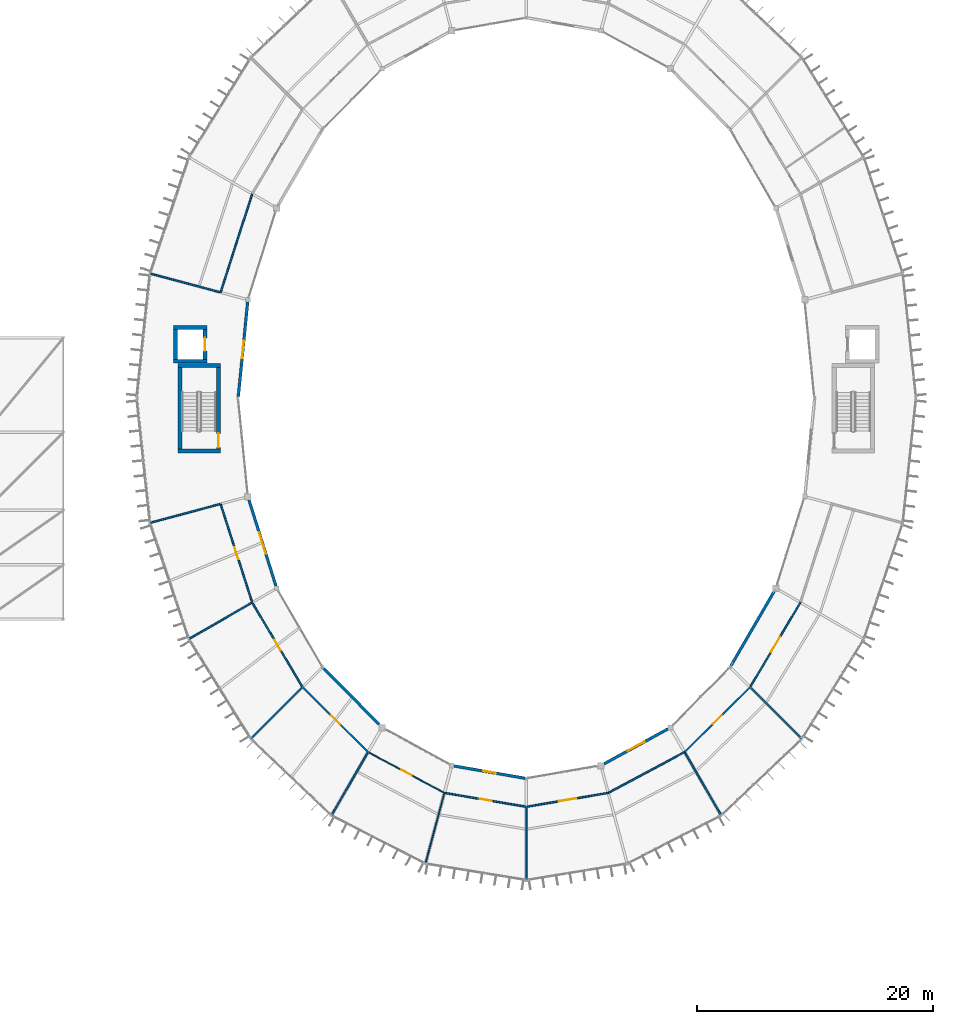
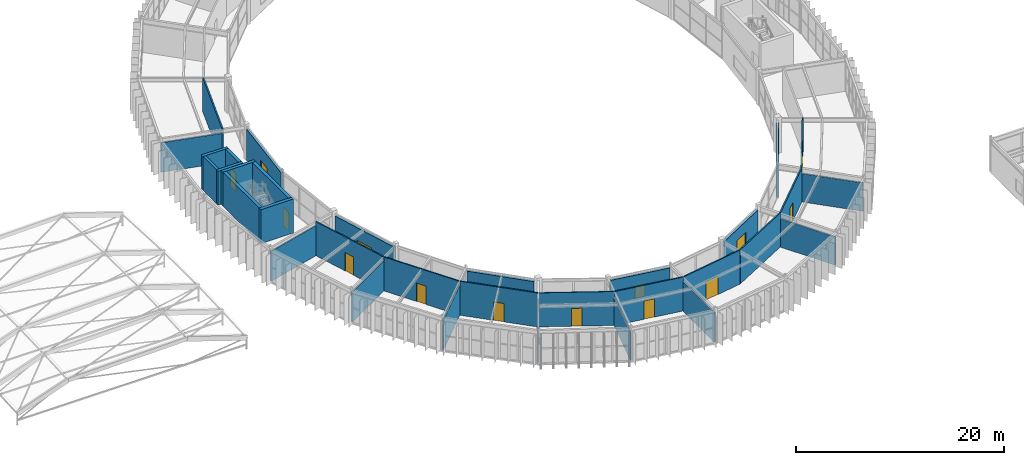
# One storey, part 116 of 134: 33 walls, 10 doors, 4 windows, 14 openings.
"""IFC4 building model written with IfcOpenShell, lengths in metres."""

from ifc_helpers import new_model, si_unit, direction, frame, frame_2d, origin, place, context, subcontext, project, spatial, rectangle, extrude, material, layer, layer_set, type_object, element, fill, save


model = new_model("IFC4")

# Units and contexts
model_context = context("Model", 3, precision=1e-05, world=origin(), true_north=direction((0.0, 1.0)))
body_context = subcontext(model_context, "Body", "Model", "MODEL_VIEW")
ifc_project = project(units=[si_unit("LENGTHUNIT", "METRE"), si_unit("AREAUNIT", "SQUARE_METRE"), si_unit("VOLUMEUNIT", "CUBIC_METRE"), si_unit("PLANEANGLEUNIT", "RADIAN"), si_unit("MASSUNIT", "GRAM", prefix="KILO")], contexts=[model_context])

# Site, building, storey
site_placement = place(None, origin())
site = spatial("IfcSite", under=ifc_project, at=site_placement, CompositionType="ELEMENT")
building_placement = place(site_placement, origin())
building = spatial("IfcBuilding", under=site, at=building_placement, Name="Karori Crest Natural Sciences Institute", CompositionType="ELEMENT")
storey_placement = place(building_placement, frame((0.0, 0.0, 21.699951171875)))
storey = spatial("IfcBuildingStorey", under=building, at=storey_placement, Name="L05", CompositionType="ELEMENT", Elevation=21.699951171875)

# Walls
ifc_material_1 = material(Name="Concrete 50 MPa", Category="concrete")
ifc_layer_1 = layer(ifc_material_1, 0.35009765625, Name="Concrete 50 MPa")
ifc_layer_set_1 = layer_set([ifc_layer_1], Name="Concrete 50 MPa")
wall_type_1 = type_object("IfcWallType", Name="IWT-02", PredefinedType="SHEAR", material=ifc_layer_set_1)
for number, where, z_axis, x_axis, name in (
    (1, (36.89990234375, 45.425048828125, 0.0), (0.0, 0.0, 1.0), (1.0, 0.0, 0.0), "Shear wall IW-0061"),
    (2, (36.89990234375, 52.675048828125, 0.0), (0.0, 0.0, 1.0), (1.0, 0.0, 0.0), "Shear wall IW-0062"),
):
    element("IfcWall", number, at=place(storey_placement, frame(where, z_axis=z_axis, x_axis=x_axis)), inside=storey, type_object=wall_type_1, Name=name, PredefinedType="SHEAR", context=body_context, shape_type="SweptSolid", body=[
        extrude(rectangle(XDim=3.60009765625, YDim=0.35009765625, at=frame_2d((1.800048828125, 0.0))), origin(), (0.0, 0.0, 1.0), 3.97998046875),
    ])
wall_1_placement = place(storey_placement, frame((37.074951171875, 45.60205078125, 0.0), z_axis=(0.0, 0.0, 1.0), x_axis=(0.0, 1.0, 0.0)))
element("IfcWall", 3, at=wall_1_placement, inside=storey, type_object=wall_type_1, Name="Shear wall IW-0063", PredefinedType="SHEAR", context=body_context, shape_type="SweptSolid", body=[
    extrude(rectangle(XDim=6.89599609375, YDim=0.35009765625, at=frame_2d((3.447998046875, 0.0))), origin(), (0.0, 0.0, 1.0), 3.97998046875),
])

# Wall, opening, door
wall_2_placement = place(storey_placement, frame((40.324951171875, 45.60205078125, 0.0), z_axis=(0.0, 0.0, 1.0), x_axis=(0.0, 1.0, 0.0)))
wall_2 = element("IfcWall", 4, at=wall_2_placement, inside=storey, type_object=wall_type_1, Name="Shear wall IW-0064", PredefinedType="SHEAR", context=body_context, shape_type="SweptSolid", body=[
    extrude(rectangle(XDim=6.89599609375, YDim=0.35009765625, at=frame_2d((3.447998046875, 0.0))), origin(), (0.0, 0.0, 1.0), 3.97998046875),
])
opening_1_placement = place(wall_2_placement, frame((0.1201171875, 0.0, 0.0)))
opening_1 = element("IfcOpeningElement", 5, at=opening_1_placement, cuts=wall_2, Name="Opening ID-0016", PredefinedType="OPENING", context=body_context, shape_type="SweptSolid", body=[
    extrude(rectangle(XDim=1.199951171875, YDim=2.14990234375, at=frame_2d((0.60009765625, 1.074951171875))), frame((0.0, 0.18505859375, 0.0), z_axis=(0.0, -1.0, 0.0), x_axis=(1.0, 0.0, 0.0)), (0.0, 0.0, 1.0), 0.3701171875),
])
ifc_material_2 = material(Name="Stainless steel 316 and fire-rated timber", Category="steel")
door_type_1 = type_object("IfcDoorType", Name="IDT-01", OperationType="NOTDEFINED", PredefinedType="DOOR", material=ifc_material_2)
door_1_placement = place(opening_1_placement, origin())
door_1 = element("IfcDoor", 6, at=door_1_placement, inside=storey, type_object=door_type_1, Name="Stair ST-02 fire door ID-0016", OperationType="SINGLE_SWING_RIGHT", OverallHeight=2.14990234375, OverallWidth=1.199951171875, PredefinedType="DOOR", context=body_context, shape_type="SweptSolid", body=[
    extrude(rectangle(XDim=1.199951171875, YDim=2.14990234375, at=frame_2d((0.60009765625, 1.074951171875))), frame((0.0, 0.02490234375, 0.0), z_axis=(0.0, -1.0, 0.0), x_axis=(1.0, 0.0, 0.0)), (0.0, 0.0, 1.0), 0.050048828125),
])
fill(opening_1, door_1)

# Walls
ifc_layer_2 = layer(ifc_material_1, 0.320068359375, Name="Concrete 50 MPa")
ifc_layer_set_2 = layer_set([ifc_layer_2], Name="Concrete 50 MPa")
wall_type_2 = type_object("IfcWallType", Name="IWT-03", PredefinedType="SHEAR", material=ifc_layer_set_2)
for number, where, z_axis, x_axis, name in (
    (7, (36.544921875, 53.030029296875, 0.0), (0.0, 0.0, 1.0), (1.0, 0.0, 0.0), "Shear wall IW-0461"),
    (8, (36.544921875, 55.89501953125, 0.0), (0.0, 0.0, 1.0), (1.0, 0.0, 0.0), "Shear wall IW-0462"),
):
    element("IfcWall", number, at=place(storey_placement, frame(where, z_axis=z_axis, x_axis=x_axis)), inside=storey, type_object=wall_type_2, Name=name, PredefinedType="SHEAR", context=body_context, shape_type="SweptSolid", body=[
        extrude(rectangle(XDim=2.81005859375, YDim=0.320068359375, at=frame_2d((1.405029296875, 0.0))), origin(), (0.0, 0.0, 1.0), 3.97998046875),
    ])
wall_3_placement = place(storey_placement, frame((36.705078125, 53.19189453125, 0.0), z_axis=(0.0, 0.0, 1.0), x_axis=(0.0, 1.0, 0.0)))
element("IfcWall", 9, at=wall_3_placement, inside=storey, type_object=wall_type_2, Name="Shear wall IW-0463", PredefinedType="SHEAR", context=body_context, shape_type="SweptSolid", body=[
    extrude(rectangle(XDim=2.541015625, YDim=0.320068359375, at=frame_2d((1.2705078125, 0.0))), origin(), (0.0, 0.0, 1.0), 3.97998046875),
])

# Wall, opening, door
wall_4_placement = place(storey_placement, frame((39.195068359375, 53.19189453125, 0.0), z_axis=(0.0, 0.0, 1.0), x_axis=(0.0, 1.0, 0.0)))
wall_4 = element("IfcWall", 10, at=wall_4_placement, inside=storey, type_object=wall_type_2, Name="Shear wall IW-0464", PredefinedType="SHEAR", context=body_context, shape_type="SweptSolid", body=[
    extrude(rectangle(XDim=2.541015625, YDim=0.320068359375, at=frame_2d((1.2705078125, 0.0))), origin(), (0.0, 0.0, 1.0), 3.97998046875),
])
opening_2_placement = place(wall_4_placement, frame((0.720458984375, 0.0, 0.0)))
opening_2 = element("IfcOpeningElement", 11, at=opening_2_placement, cuts=wall_4, Name="Opening LD-0040", PredefinedType="OPENING", context=body_context, shape_type="SweptSolid", body=[
    extrude(rectangle(XDim=1.10009765625, YDim=2.14990234375, at=frame_2d((0.550048828125, 1.074951171875))), frame((0.0, 0.169921875, 0.0), z_axis=(0.0, -1.0, 0.0), x_axis=(1.0, 0.0, 0.0)), (0.0, 0.0, 1.0), 0.340087890625),
])
door_type_2 = type_object("IfcDoorType", Name="LDT-01", OperationType="SLIDING_TO_LEFT", PredefinedType="DOOR", material=ifc_material_2)
door_2_placement = place(opening_2_placement, origin())
door_2 = element("IfcDoor", 12, at=door_2_placement, inside=storey, type_object=door_type_2, Name="Lift LP-02 landing door LD-0040", OperationType="SLIDING_TO_LEFT", OverallHeight=2.14990234375, OverallWidth=1.10009765625, PredefinedType="DOOR", context=body_context, shape_type="SweptSolid", body=[
    extrude(rectangle(XDim=1.10009765625, YDim=2.14990234375, at=frame_2d((0.550048828125, 1.074951171875))), frame((0.0, 0.02490234375, 0.0), z_axis=(0.0, -1.0, 0.0), x_axis=(1.0, 0.0, 0.0)), (0.0, 0.0, 1.0), 0.050048828125),
])
fill(opening_2, door_2)

# Walls
ifc_material_3 = material(Name="Laboratory acoustic drywall partition")
ifc_layer_3 = layer(ifc_material_3, 0.139892578125, Name="Laboratory acoustic drywall partition")
ifc_layer_set_3 = layer_set([ifc_layer_3], Name="Laboratory acoustic drywall partition")
wall_type_3 = type_object("IfcWallType", Name="IWT-07", PredefinedType="PARTITIONING", material=ifc_layer_set_3)
wall_5_placement = place(storey_placement, frame((43.18994140625, 67.197998046875, 0.0), z_axis=(0.0, 0.0, 1.0), x_axis=(-0.305499533667, -0.952192225829, 0.0)))
element("IfcWall", 13, at=wall_5_placement, inside=storey, type_object=wall_type_3, Name="Partition wall IW-1385", PredefinedType="PARTITIONING", context=body_context, shape_type="SweptSolid", body=[
    extrude(rectangle(XDim=8.761962890625, YDim=0.139892578125, at=frame_2d((4.380859375, 0.0))), origin(), (0.0, 0.0, 1.0), 3.97998046875),
])
wall_6_placement = place(storey_placement, frame((40.435791015625, 58.875732421875, 0.0), z_axis=(0.0, 0.0, 1.0), x_axis=(-0.965916578341, 0.258853556448, 0.0)))
element("IfcWall", 14, at=wall_6_placement, inside=storey, type_object=wall_type_3, Name="Partition wall IW-1386", PredefinedType="PARTITIONING", context=body_context, shape_type="SweptSolid", body=[
    extrude(rectangle(XDim=6.059814453125, YDim=0.139892578125, at=frame_2d((3.02978515625, 0.0))), origin(), (0.0, 0.0, 1.0), 3.465087890625),
])

# Wall, opening, door
wall_7_placement = place(storey_placement, frame((40.51318359375, 40.94482421875, 0.0), z_axis=(0.0, 0.0, 1.0), x_axis=(0.305493323507, -0.952194218263, 0.0)))
wall_7 = element("IfcWall", 15, at=wall_7_placement, inside=storey, type_object=wall_type_3, Name="Partition wall IW-1387", PredefinedType="PARTITIONING", context=body_context, shape_type="SweptSolid", body=[
    extrude(rectangle(XDim=8.763671875, YDim=0.139892578125, at=frame_2d((4.3818359375, 0.0))), origin(), (0.0, 0.0, 1.0), 3.97998046875),
])
opening_3_placement = place(wall_7_placement, frame((3.85693359375, 0.0, 0.0)))
opening_3 = element("IfcOpeningElement", 16, at=opening_3_placement, cuts=wall_7, Name="Opening ID-0440", PredefinedType="OPENING", context=body_context, shape_type="SweptSolid", body=[
    extrude(rectangle(XDim=1.050048828125, YDim=2.14990234375, at=frame_2d((0.52490234375, 1.074951171875))), frame((0.0, 0.080078125, 0.0), z_axis=(0.0, -1.0, 0.0), x_axis=(1.0, 0.0, 0.0)), (0.0, 0.0, 1.0), 0.159912109375),
])
door_type_3 = type_object("IfcDoorType", Name="IDT-03", OperationType="NOTDEFINED", PredefinedType="DOOR", material=ifc_material_2)
door_3_placement = place(opening_3_placement, origin())
door_3 = element("IfcDoor", 17, at=door_3_placement, inside=storey, type_object=door_type_3, Name="Paleoclimate Core Analysis Laboratory door ID-0440", OperationType="SINGLE_SWING_LEFT", OverallHeight=2.14990234375, OverallWidth=1.050048828125, PredefinedType="DOOR", context=body_context, shape_type="SweptSolid", body=[
    extrude(rectangle(XDim=1.050048828125, YDim=2.14990234375, at=frame_2d((0.52490234375, 1.074951171875))), frame((0.0, 0.02490234375, 0.0), z_axis=(0.0, -1.0, 0.0), x_axis=(1.0, 0.0, 0.0)), (0.0, 0.0, 1.0), 0.050048828125),
])
fill(opening_3, door_3)

# Walls
for number, where, z_axis, x_axis, name in (
    (18, (40.435791015625, 40.92431640625, 0.0), (0.0, 0.0, 1.0), (-0.965916578341, -0.258853556448, 0.0), "Partition wall IW-1388"),
    (19, (43.12109375, 32.56005859375, 0.0), (0.0, 0.0, 1.0), (-0.866010470582, -0.500025864173, 0.0), "Partition wall IW-1389"),
):
    element("IfcWall", number, at=place(storey_placement, frame(where, z_axis=z_axis, x_axis=x_axis)), inside=storey, type_object=wall_type_3, Name=name, PredefinedType="PARTITIONING", context=body_context, shape_type="SweptSolid", body=[
        extrude(rectangle(XDim=6.059814453125, YDim=0.139892578125, at=frame_2d((3.02978515625, 0.0))), origin(), (0.0, 0.0, 1.0), 3.52197265625),
    ])

# Wall, opening, door
wall_8_placement = place(storey_placement, frame((43.227294921875, 32.5380859375, 0.0), z_axis=(0.0, 0.0, 1.0), x_axis=(0.510911392115, -0.859633380812, 0.0)))
wall_8 = element("IfcWall", 20, at=wall_8_placement, inside=storey, type_object=wall_type_3, Name="Partition wall IW-1390", PredefinedType="PARTITIONING", context=body_context, shape_type="SweptSolid", body=[
    extrude(rectangle(XDim=8.263916015625, YDim=0.139892578125, at=frame_2d((4.1318359375, 0.0))), origin(), (0.0, 0.0, 1.0), 3.97998046875),
])
opening_4_placement = place(wall_8_placement, frame((3.60693359375, 0.0, 0.0)))
opening_4 = element("IfcOpeningElement", 21, at=opening_4_placement, cuts=wall_8, Name="Opening ID-0441", PredefinedType="OPENING", context=body_context, shape_type="SweptSolid", body=[
    extrude(rectangle(XDim=1.050048828125, YDim=2.14990234375, at=frame_2d((0.52490234375, 1.074951171875))), frame((0.0, 0.080078125, 0.0), z_axis=(0.0, -1.0, 0.0), x_axis=(1.0, 0.0, 0.0)), (0.0, 0.0, 1.0), 0.159912109375),
])
door_4_placement = place(opening_4_placement, origin())
door_4 = element("IfcDoor", 22, at=door_4_placement, inside=storey, type_object=door_type_3, Name="Dry Optics Physics Laboratory door ID-0441", OperationType="SINGLE_SWING_RIGHT", OverallHeight=2.14990234375, OverallWidth=1.050048828125, PredefinedType="DOOR", context=body_context, shape_type="SweptSolid", body=[
    extrude(rectangle(XDim=1.050048828125, YDim=2.14990234375, at=frame_2d((0.52490234375, 1.074951171875))), frame((0.0, 0.02490234375, 0.0), z_axis=(0.0, -1.0, 0.0), x_axis=(1.0, 0.0, 0.0)), (0.0, 0.0, 1.0), 0.050048828125),
])
fill(opening_4, door_4)

# Wall
wall_9_placement = place(storey_placement, frame((47.392822265625, 25.37744140625, 0.0), z_axis=(0.0, 0.0, 1.0), x_axis=(-0.707086637129, -0.70712692467, 0.0)))
element("IfcWall", 23, at=wall_9_placement, inside=storey, type_object=wall_type_3, Name="Partition wall IW-1391", PredefinedType="PARTITIONING", context=body_context, shape_type="SweptSolid", body=[
    extrude(rectangle(XDim=6.06005859375, YDim=0.139892578125, at=frame_2d((3.030029296875, 0.0))), origin(), (0.0, 0.0, 1.0), 3.52197265625),
])

# Wall, opening, door
wall_10_placement = place(storey_placement, frame((47.500732421875, 25.38330078125, 0.0), z_axis=(0.0, 0.0, 1.0), x_axis=(0.71042636545, -0.703771539119, 0.0)))
wall_10 = element("IfcWall", 24, at=wall_10_placement, inside=storey, type_object=wall_type_3, Name="Partition wall IW-1392", PredefinedType="PARTITIONING", context=body_context, shape_type="SweptSolid", body=[
    extrude(rectangle(XDim=7.74072265625, YDim=0.139892578125, at=frame_2d((3.870361328125, 0.0))), origin(), (0.0, 0.0, 1.0), 3.97998046875),
])
opening_5_placement = place(wall_10_placement, frame((3.345458984375, 0.0, 0.0)))
opening_5 = element("IfcOpeningElement", 25, at=opening_5_placement, cuts=wall_10, Name="Opening ID-0442", PredefinedType="OPENING", context=body_context, shape_type="SweptSolid", body=[
    extrude(rectangle(XDim=1.050048828125, YDim=2.14990234375, at=frame_2d((0.52490234375, 1.074951171875))), frame((0.0, 0.080078125, 0.0), z_axis=(0.0, -1.0, 0.0), x_axis=(1.0, 0.0, 0.0)), (0.0, 0.0, 1.0), 0.159912109375),
])
door_5_placement = place(opening_5_placement, origin())
door_5 = element("IfcDoor", 26, at=door_5_placement, inside=storey, type_object=door_type_3, Name="Mass Spectrometry Instrument Room door ID-0442", OperationType="SINGLE_SWING_LEFT", OverallHeight=2.14990234375, OverallWidth=1.050048828125, PredefinedType="DOOR", context=body_context, shape_type="SweptSolid", body=[
    extrude(rectangle(XDim=1.050048828125, YDim=2.14990234375, at=frame_2d((0.52490234375, 1.074951171875))), frame((0.0, 0.02490234375, 0.0), z_axis=(0.0, -1.0, 0.0), x_axis=(1.0, 0.0, 0.0)), (0.0, 0.0, 1.0), 0.050048828125),
])
fill(opening_5, door_5)

# Wall
wall_11_placement = place(storey_placement, frame((52.9599609375, 19.8662109375, 0.0), z_axis=(0.0, 0.0, 1.0), x_axis=(-0.500008418462, -0.866020543329, 0.0)))
element("IfcWall", 27, at=wall_11_placement, inside=storey, type_object=wall_type_3, Name="Partition wall IW-1393", PredefinedType="PARTITIONING", context=body_context, shape_type="SweptSolid", body=[
    extrude(rectangle(XDim=6.06005859375, YDim=0.139892578125, at=frame_2d((3.030029296875, 0.0))), origin(), (0.0, 0.0, 1.0), 3.31298828125),
])

# Wall, opening, door
wall_12_placement = place(storey_placement, frame((59.51513671875, 16.47021484375, 0.0), z_axis=(0.0, 0.0, 1.0), x_axis=(0.985861622289, -0.167561516157, 0.0)))
wall_12 = element("IfcWall", 28, at=wall_12_placement, inside=storey, type_object=wall_type_3, Name="Partition wall IW-1396", PredefinedType="PARTITIONING", context=body_context, shape_type="SweptSolid", body=[
    extrude(rectangle(XDim=6.9833984375, YDim=0.139892578125, at=frame_2d((3.49169921875, 0.0))), origin(), (0.0, 0.0, 1.0), 3.97998046875),
])
opening_6_placement = place(wall_12_placement, frame((2.966796875, 0.0, 0.0)))
opening_6 = element("IfcOpeningElement", 29, at=opening_6_placement, cuts=wall_12, Name="Opening ID-0444", PredefinedType="OPENING", context=body_context, shape_type="SweptSolid", body=[
    extrude(rectangle(XDim=1.050048828125, YDim=2.14990234375, at=frame_2d((0.52490234375, 1.074951171875))), frame((0.0, 0.080078125, 0.0), z_axis=(0.0, -1.0, 0.0), x_axis=(1.0, 0.0, 0.0)), (0.0, 0.0, 1.0), 0.159912109375),
])
door_6_placement = place(opening_6_placement, origin())
door_6 = element("IfcDoor", 30, at=door_6_placement, inside=storey, type_object=door_type_3, Name="Paleoclimate Core Analysis Laboratory door ID-0444", OperationType="SINGLE_SWING_LEFT", OverallHeight=2.14990234375, OverallWidth=1.050048828125, PredefinedType="DOOR", context=body_context, shape_type="SweptSolid", body=[
    extrude(rectangle(XDim=1.050048828125, YDim=2.14990234375, at=frame_2d((0.52490234375, 1.074951171875))), frame((0.0, 0.02490234375, 0.0), z_axis=(0.0, -1.0, 0.0), x_axis=(1.0, 0.0, 0.0)), (0.0, 0.0, 1.0), 0.050048828125),
])
fill(opening_6, door_6)

# Wall
wall_13_placement = place(storey_placement, frame((66.39990234375, 15.219970703125, 0.0), z_axis=(0.0, 0.0, 1.0), x_axis=(0.0, -1.0, 0.0)))
element("IfcWall", 31, at=wall_13_placement, inside=storey, type_object=wall_type_3, Name="Partition wall IW-1397", PredefinedType="PARTITIONING", context=body_context, shape_type="SweptSolid", body=[
    extrude(rectangle(XDim=6.06005859375, YDim=0.139892578125, at=frame_2d((3.030029296875, 0.0))), origin(), (0.0, 0.0, 1.0), 3.470947265625),
])

# Wall, opening, door
wall_14_placement = place(storey_placement, frame((66.471923828125, 15.312255859375, 0.0), z_axis=(0.0, 0.0, 1.0), x_axis=(0.985861002198, 0.167565164474, 0.0)))
wall_14 = element("IfcWall", 32, at=wall_14_placement, inside=storey, type_object=wall_type_3, Name="Partition wall IW-1398", PredefinedType="PARTITIONING", context=body_context, shape_type="SweptSolid", body=[
    extrude(rectangle(XDim=6.962890625, YDim=0.139892578125, at=frame_2d((3.4814453125, 0.0))), origin(), (0.0, 0.0, 1.0), 3.97998046875),
])
opening_7_placement = place(wall_14_placement, frame((2.7314453125, 0.0, 0.0)))
opening_7 = element("IfcOpeningElement", 33, at=opening_7_placement, cuts=wall_14, Name="Opening ID-0445", PredefinedType="OPENING", context=body_context, shape_type="SweptSolid", body=[
    extrude(rectangle(XDim=1.5, YDim=2.14990234375, at=frame_2d((0.75, 1.074951171875))), frame((0.0, 0.080078125, 0.0), z_axis=(0.0, -1.0, 0.0), x_axis=(1.0, 0.0, 0.0)), (0.0, 0.0, 1.0), 0.159912109375),
])
door_type_4 = type_object("IfcDoorType", Name="IDT-05", OperationType="DOUBLE_DOOR_SINGLE_SWING", PredefinedType="DOOR", material=ifc_material_2)
door_7_placement = place(opening_7_placement, origin())
door_7 = element("IfcDoor", 34, at=door_7_placement, inside=storey, type_object=door_type_4, Name="Dry Optics Physics Laboratory door ID-0445", OperationType="DOUBLE_DOOR_SINGLE_SWING", OverallHeight=2.14990234375, OverallWidth=1.5, PredefinedType="DOOR", context=body_context, shape_type="SweptSolid", body=[
    extrude(rectangle(XDim=1.5, YDim=2.14990234375, at=frame_2d((0.75, 1.074951171875))), frame((0.0, 0.02490234375, 0.0), z_axis=(0.0, -1.0, 0.0), x_axis=(1.0, 0.0, 0.0)), (0.0, 0.0, 1.0), 0.050048828125),
])
fill(opening_7, door_7)

# Walls
wall_15_placement = place(storey_placement, frame((73.338134765625, 16.47998046875, 0.0), z_axis=(0.0, 0.0, 1.0), x_axis=(0.881830395915, 0.471566700309, 0.0)))
element("IfcWall", 35, at=wall_15_placement, inside=storey, type_object=wall_type_3, Name="Partition wall IW-1399", PredefinedType="PARTITIONING", context=body_context, shape_type="SweptSolid", body=[
    extrude(rectangle(XDim=7.327880859375, YDim=0.139892578125, at=frame_2d((3.6640625, 0.0))), origin(), (0.0, 0.0, 1.0), 3.97998046875),
])
wall_16_placement = place(storey_placement, frame((79.840087890625, 19.8662109375, 0.0), z_axis=(0.0, 0.0, 1.0), x_axis=(0.500008418462, -0.866020543329, 0.0)))
element("IfcWall", 36, at=wall_16_placement, inside=storey, type_object=wall_type_3, Name="Partition wall IW-1400", PredefinedType="PARTITIONING", context=body_context, shape_type="SweptSolid", body=[
    extrude(rectangle(XDim=6.06005859375, YDim=0.139892578125, at=frame_2d((3.030029296875, 0.0))), origin(), (0.0, 0.0, 1.0), 3.31298828125),
])

# Wall, opening, door
wall_17_placement = place(storey_placement, frame((79.801513671875, 19.93701171875, 0.0), z_axis=(0.0, 0.0, 1.0), x_axis=(0.710427757183, 0.703770134222, 0.0)))
wall_17 = element("IfcWall", 37, at=wall_17_placement, inside=storey, type_object=wall_type_3, Name="Partition wall IW-1401", PredefinedType="PARTITIONING", context=body_context, shape_type="SweptSolid", body=[
    extrude(rectangle(XDim=7.810791015625, YDim=0.139892578125, at=frame_2d((3.9052734375, 0.0))), origin(), (0.0, 0.0, 1.0), 3.97998046875),
])
opening_8_placement = place(wall_17_placement, frame((3.380615234375, 0.0, 0.0)))
opening_8 = element("IfcOpeningElement", 38, at=opening_8_placement, cuts=wall_17, Name="Opening ID-0446", PredefinedType="OPENING", context=body_context, shape_type="SweptSolid", body=[
    extrude(rectangle(XDim=1.050048828125, YDim=2.14990234375, at=frame_2d((0.52490234375, 1.074951171875))), frame((0.0, 0.080078125, 0.0), z_axis=(0.0, -1.0, 0.0), x_axis=(1.0, 0.0, 0.0)), (0.0, 0.0, 1.0), 0.159912109375),
])
door_8_placement = place(opening_8_placement, origin())
door_8 = element("IfcDoor", 39, at=door_8_placement, inside=storey, type_object=door_type_3, Name="Atmospheric Physics Laboratory door ID-0446", OperationType="SINGLE_SWING_RIGHT", OverallHeight=2.14990234375, OverallWidth=1.050048828125, PredefinedType="DOOR", context=body_context, shape_type="SweptSolid", body=[
    extrude(rectangle(XDim=1.050048828125, YDim=2.14990234375, at=frame_2d((0.52490234375, 1.074951171875))), frame((0.0, 0.02490234375, 0.0), z_axis=(0.0, -1.0, 0.0), x_axis=(1.0, 0.0, 0.0)), (0.0, 0.0, 1.0), 0.050048828125),
])
fill(opening_8, door_8)

# Wall
wall_18_placement = place(storey_placement, frame((85.406982421875, 25.37744140625, 0.0), z_axis=(0.0, 0.0, 1.0), x_axis=(0.707106781187, -0.707106781187, 0.0)))
element("IfcWall", 40, at=wall_18_placement, inside=storey, type_object=wall_type_3, Name="Partition wall IW-1402", PredefinedType="PARTITIONING", context=body_context, shape_type="SweptSolid", body=[
    extrude(rectangle(XDim=6.06005859375, YDim=0.139892578125, at=frame_2d((3.030029296875, 0.0))), origin(), (0.0, 0.0, 1.0), 3.322998046875),
])

# Wall, opening, door
wall_19_placement = place(storey_placement, frame((85.388427734375, 25.497802734375, 0.0), z_axis=(0.0, 0.0, 1.0), x_axis=(0.510914893672, 0.8596312997, 0.0)))
wall_19 = element("IfcWall", 41, at=wall_19_placement, inside=storey, type_object=wall_type_3, Name="Partition wall IW-1403", PredefinedType="PARTITIONING", context=body_context, shape_type="SweptSolid", body=[
    extrude(rectangle(XDim=8.261962890625, YDim=0.139892578125, at=frame_2d((4.130859375, 0.0))), origin(), (0.0, 0.0, 1.0), 3.97998046875),
])
opening_9_placement = place(wall_19_placement, frame((3.380859375, 0.0, 0.0)))
opening_9 = element("IfcOpeningElement", 42, at=opening_9_placement, cuts=wall_19, Name="Opening ID-0447", PredefinedType="OPENING", context=body_context, shape_type="SweptSolid", body=[
    extrude(rectangle(XDim=1.5, YDim=2.14990234375, at=frame_2d((0.75, 1.074951171875))), frame((0.0, 0.080078125, 0.0), z_axis=(0.0, -1.0, 0.0), x_axis=(1.0, 0.0, 0.0)), (0.0, 0.0, 1.0), 0.159912109375),
])
door_9_placement = place(opening_9_placement, origin())
door_9 = element("IfcDoor", 43, at=door_9_placement, inside=storey, type_object=door_type_4, Name="Paleoclimate Core Analysis Laboratory door ID-0447", OperationType="DOUBLE_DOOR_SINGLE_SWING", OverallHeight=2.14990234375, OverallWidth=1.5, PredefinedType="DOOR", context=body_context, shape_type="SweptSolid", body=[
    extrude(rectangle(XDim=1.5, YDim=2.14990234375, at=frame_2d((0.75, 1.074951171875))), frame((0.0, 0.02490234375, 0.0), z_axis=(0.0, -1.0, 0.0), x_axis=(1.0, 0.0, 0.0)), (0.0, 0.0, 1.0), 0.050048828125),
])
fill(opening_9, door_9)

ifc_material_4 = material(Name="Washroom moisture-resistant partition")
ifc_layer_4 = layer(ifc_material_4, 0.10009765625, Name="Washroom moisture-resistant partition")
ifc_layer_set_4 = layer_set([ifc_layer_4], Name="Washroom moisture-resistant partition")
wall_type_4 = type_object("IfcWallType", Name="IWT-09", PredefinedType="PARTITIONING", material=ifc_layer_set_4)
wall_20_placement = place(storey_placement, frame((53.0634765625, 19.901611328125, 0.0), z_axis=(0.0, 0.0, 1.0), x_axis=(0.881826283139, -0.471574391125, 0.0)))
wall_20 = element("IfcWall", 44, at=wall_20_placement, inside=storey, type_object=wall_type_4, Name="Partition wall IW-1394", PredefinedType="PARTITIONING", context=body_context, shape_type="SweptSolid", body=[
    extrude(rectangle(XDim=7.2578125, YDim=0.10009765625, at=frame_2d((3.62890625, 0.0))), origin(), (0.0, 0.0, 1.0), 3.97998046875),
])
opening_10_placement = place(wall_20_placement, frame((3.12890625, 0.0, 0.0)))
opening_10 = element("IfcOpeningElement", 45, at=opening_10_placement, cuts=wall_20, Name="Opening ID-0443", PredefinedType="OPENING", context=body_context, shape_type="SweptSolid", body=[
    extrude(rectangle(XDim=1.0, YDim=2.10009765625, at=frame_2d((0.5, 1.050048828125))), frame((0.0, 0.06005859375, 0.0), z_axis=(0.0, -1.0, 0.0), x_axis=(1.0, 0.0, 0.0)), (0.0, 0.0, 1.0), 0.1201171875),
])
ifc_material_5 = material(Name="Anodised aluminium and acoustic timber", Category="wood")
door_type_5 = type_object("IfcDoorType", Name="IDT-09", OperationType="NOTDEFINED", PredefinedType="DOOR", material=ifc_material_5)
door_10_placement = place(opening_10_placement, origin())
door_10 = element("IfcDoor", 46, at=door_10_placement, inside=storey, type_object=door_type_5, Name="Laboratory Washroom WC door ID-0443", OperationType="SINGLE_SWING_RIGHT", OverallHeight=2.10009765625, OverallWidth=1.0, PredefinedType="DOOR", context=body_context, shape_type="SweptSolid", body=[
    extrude(rectangle(XDim=1.0, YDim=2.10009765625, at=frame_2d((0.5, 1.050048828125))), frame((0.0, 0.02490234375, 0.0), z_axis=(0.0, -1.0, 0.0), x_axis=(1.0, 0.0, 0.0)), (0.0, 0.0, 1.0), 0.050048828125),
])
fill(opening_10, door_10)

# Wall
wall_21_placement = place(storey_placement, frame((59.44287109375, 16.401611328125, 0.0), z_axis=(0.0, 0.0, 1.0), x_axis=(-0.258805895167, -0.965929349708, 0.0)))
element("IfcWall", 47, at=wall_21_placement, inside=storey, type_object=wall_type_4, Name="Partition wall IW-1395", PredefinedType="PARTITIONING", context=body_context, shape_type="SweptSolid", body=[
    extrude(rectangle(XDim=6.06005859375, YDim=0.10009765625, at=frame_2d((3.030029296875, 0.0))), origin(), (0.0, 0.0, 1.0), 3.322998046875),
])

# Wall, opening, window
ifc_material_6 = material(Name="Precast concrete 40 MPa", Category="concrete")
ifc_layer_5 = layer(ifc_material_6, 0.239990234375, Name="Precast concrete 40 MPa")
ifc_layer_set_5 = layer_set([ifc_layer_5], Name="Precast concrete 40 MPa")
wall_type_5 = type_object("IfcWallType", Name="WT-04", PredefinedType="SOLIDWALL", material=ifc_layer_set_5)
wall_22_placement = place(storey_placement, frame((42.8115234375, 58.035888671875, 0.0), z_axis=(0.0, 0.0, 1.0), x_axis=(-0.099255190182, -0.995062011747, 0.0)))
wall_22 = element("IfcWall", 48, at=wall_22_placement, inside=storey, type_object=wall_type_5, Name="Exterior wall EW-0093", PredefinedType="SOLIDWALL", context=body_context, shape_type="SweptSolid", body=[
    extrude(rectangle(XDim=8.07275390625, YDim=0.239990234375, at=frame_2d((4.036376953125, 0.0))), origin(), (0.0, 0.0, 1.0), 3.650146484375),
])
opening_11_placement = place(wall_22_placement, frame((3.311279296875, 0.0, 0.85009765625)))
opening_11 = element("IfcOpeningElement", 49, at=opening_11_placement, cuts=wall_22, Name="Opening WN-0041", PredefinedType="OPENING", context=body_context, shape_type="SweptSolid", body=[
    extrude(rectangle(XDim=1.449951171875, YDim=1.25, at=frame_2d((0.72509765625, 0.625))), frame((0.0, 0.1298828125, 0.0), z_axis=(0.0, -1.0, 0.0), x_axis=(1.0, 0.0, 0.0)), (0.0, 0.0, 1.0), 0.260009765625),
])
ifc_material_7 = material(Name="Double low-E laminated glass", Category="glass")
window_type_1 = type_object("IfcWindowType", Name="WNT-12", PartitioningType="SINGLE_PANEL", PredefinedType="WINDOW", material=ifc_material_7)
window_1_placement = place(opening_11_placement, origin())
window_1 = element("IfcWindow", 50, at=window_1_placement, inside=storey, type_object=window_type_1, Name="Window WN-0041", OverallHeight=1.25, OverallWidth=1.449951171875, PartitioningType="SINGLE_PANEL", PredefinedType="WINDOW", context=body_context, shape_type="SweptSolid", body=[
    extrude(rectangle(XDim=1.449951171875, YDim=1.25, at=frame_2d((0.72509765625, 0.625))), frame((0.0, 0.030029296875, 0.0), z_axis=(0.0, -1.0, 0.0), x_axis=(1.0, 0.0, 0.0)), (0.0, 0.0, 1.0), 0.06005859375),
])
fill(opening_11, window_1)

wall_23_placement = place(storey_placement, frame((42.9169921875, 41.29296875, 0.0), z_axis=(0.0, 0.0, 1.0), x_axis=(0.299482000987, -0.954101950048, 0.0)))
wall_23 = element("IfcWall", 51, at=wall_23_placement, inside=storey, type_object=wall_type_5, Name="Exterior wall EW-0094", PredefinedType="SOLIDWALL", context=body_context, shape_type="SweptSolid", body=[
    extrude(rectangle(XDim=7.645751953125, YDim=0.239990234375, at=frame_2d((3.82275390625, 0.0))), origin(), (0.0, 0.0, 1.0), 3.60009765625),
])
opening_12_placement = place(wall_23_placement, frame((2.872802734375, 0.0, 0.85009765625)))
opening_12 = element("IfcOpeningElement", 52, at=opening_12_placement, cuts=wall_23, Name="Opening WN-0042", PredefinedType="OPENING", context=body_context, shape_type="SweptSolid", body=[
    extrude(rectangle(XDim=1.89990234375, YDim=1.25, at=frame_2d((0.949951171875, 0.625))), frame((0.0, 0.1298828125, 0.0), z_axis=(0.0, -1.0, 0.0), x_axis=(1.0, 0.0, 0.0)), (0.0, 0.0, 1.0), 0.260009765625),
])
window_type_2 = type_object("IfcWindowType", Name="WNT-14", PartitioningType="SINGLE_PANEL", PredefinedType="WINDOW", material=ifc_material_7)
window_2_placement = place(opening_12_placement, origin())
window_2 = element("IfcWindow", 53, at=window_2_placement, inside=storey, type_object=window_type_2, Name="Window WN-0042", OverallHeight=1.25, OverallWidth=1.89990234375, PartitioningType="SINGLE_PANEL", PredefinedType="WINDOW", context=body_context, shape_type="SweptSolid", body=[
    extrude(rectangle(XDim=1.89990234375, YDim=1.25, at=frame_2d((0.949951171875, 0.625))), frame((0.0, 0.030029296875, 0.0), z_axis=(0.0, -1.0, 0.0), x_axis=(1.0, 0.0, 0.0)), (0.0, 0.0, 1.0), 0.06005859375),
])
fill(opening_12, window_2)

# Wall
wall_24_placement = place(storey_placement, frame((49.247802734375, 27.02880859375, 0.0), z_axis=(0.0, 0.0, 1.0), x_axis=(0.702641034555, -0.711544500759, 0.0)))
element("IfcWall", 54, at=wall_24_placement, inside=storey, type_object=wall_type_5, Name="Exterior wall EW-0095", PredefinedType="SOLIDWALL", context=body_context, shape_type="SweptSolid", body=[
    extrude(rectangle(XDim=6.663330078125, YDim=0.239990234375, at=frame_2d((3.33154296875, 0.0))), origin(), (0.0, 0.0, 1.0), 3.60009765625),
])

# Wall, opening, window
wall_25_placement = place(storey_placement, frame((60.28271484375, 18.7626953125, 0.0), z_axis=(0.0, 0.0, 1.0), x_axis=(0.985246064368, -0.171143777706, 0.0)))
wall_25 = element("IfcWall", 55, at=wall_25_placement, inside=storey, type_object=wall_type_5, Name="Exterior wall EW-0096", PredefinedType="SOLIDWALL", context=body_context, shape_type="SweptSolid", body=[
    extrude(rectangle(XDim=6.10693359375, YDim=0.239990234375, at=frame_2d((3.053466796875, 0.0))), origin(), (0.0, 0.0, 1.0), 3.650146484375),
])
opening_13_placement = place(wall_25_placement, frame((2.5283203125, 0.0, 0.85009765625)))
opening_13 = element("IfcOpeningElement", 56, at=opening_13_placement, cuts=wall_25, Name="Opening WN-0043", PredefinedType="OPENING", context=body_context, shape_type="SweptSolid", body=[
    extrude(rectangle(XDim=1.050048828125, YDim=1.35009765625, at=frame_2d((0.52490234375, 0.675048828125))), frame((0.0, 0.1298828125, 0.0), z_axis=(0.0, -1.0, 0.0), x_axis=(1.0, 0.0, 0.0)), (0.0, 0.0, 1.0), 0.260009765625),
])
window_type_3 = type_object("IfcWindowType", Name="WNT-18", PartitioningType="SINGLE_PANEL", PredefinedType="WINDOW", material=ifc_material_7)
window_3_placement = place(opening_13_placement, origin())
window_3 = element("IfcWindow", 57, at=window_3_placement, inside=storey, type_object=window_type_3, Name="Window WN-0043", OverallHeight=1.35009765625, OverallWidth=1.050048828125, PartitioningType="SINGLE_PANEL", PredefinedType="WINDOW", context=body_context, shape_type="SweptSolid", body=[
    extrude(rectangle(XDim=1.050048828125, YDim=1.35009765625, at=frame_2d((0.52490234375, 0.675048828125))), frame((0.0, 0.030029296875, 0.0), z_axis=(0.0, -1.0, 0.0), x_axis=(1.0, 0.0, 0.0)), (0.0, 0.0, 1.0), 0.06005859375),
])
fill(opening_13, window_3)

wall_26_placement = place(storey_placement, frame((72.98828125, 18.946533203125, 0.0), z_axis=(0.0, 0.0, 1.0), x_axis=(0.877477839064, 0.479617182712, 0.0)))
wall_26 = element("IfcWall", 58, at=wall_26_placement, inside=storey, type_object=wall_type_5, Name="Exterior wall EW-0097", PredefinedType="SOLIDWALL", context=body_context, shape_type="SweptSolid", body=[
    extrude(rectangle(XDim=6.16943359375, YDim=0.239990234375, at=frame_2d((3.084716796875, 0.0))), origin(), (0.0, 0.0, 1.0), 3.650146484375),
])
opening_14_placement = place(wall_26_placement, frame((2.28466796875, 0.0, 0.85009765625)))
opening_14 = element("IfcOpeningElement", 59, at=opening_14_placement, cuts=wall_26, Name="Opening WN-0044", PredefinedType="OPENING", context=body_context, shape_type="SweptSolid", body=[
    extrude(rectangle(XDim=1.60009765625, YDim=1.5, at=frame_2d((0.800048828125, 0.75))), frame((0.0, 0.1298828125, 0.0), z_axis=(0.0, -1.0, 0.0), x_axis=(1.0, 0.0, 0.0)), (0.0, 0.0, 1.0), 0.260009765625),
])
window_type_4 = type_object("IfcWindowType", Name="WNT-20", PartitioningType="SINGLE_PANEL", PredefinedType="WINDOW", material=ifc_material_7)
window_4_placement = place(opening_14_placement, origin())
window_4 = element("IfcWindow", 60, at=window_4_placement, inside=storey, type_object=window_type_4, Name="Window WN-0044", OverallHeight=1.5, OverallWidth=1.60009765625, PartitioningType="SINGLE_PANEL", PredefinedType="WINDOW", context=body_context, shape_type="SweptSolid", body=[
    extrude(rectangle(XDim=1.60009765625, YDim=1.5, at=frame_2d((0.800048828125, 0.75))), frame((0.0, 0.030029296875, 0.0), z_axis=(0.0, -1.0, 0.0), x_axis=(1.0, 0.0, 0.0)), (0.0, 0.0, 1.0), 0.06005859375),
])
fill(opening_14, window_4)

# Wall
wall_27_placement = place(storey_placement, frame((83.71337890625, 27.234619140625, 0.0), z_axis=(0.0, 0.0, 1.0), x_axis=(0.502677590803, 0.864473967048, 0.0)))
element("IfcWall", 61, at=wall_27_placement, inside=storey, type_object=wall_type_5, Name="Exterior wall EW-0098", PredefinedType="SOLIDWALL", context=body_context, shape_type="SweptSolid", body=[
    extrude(rectangle(XDim=7.2783203125, YDim=0.239990234375, at=frame_2d((3.63916015625, 0.0))), origin(), (0.0, 0.0, 1.0), 3.650146484375),
])

save(model, "model.ifc")
